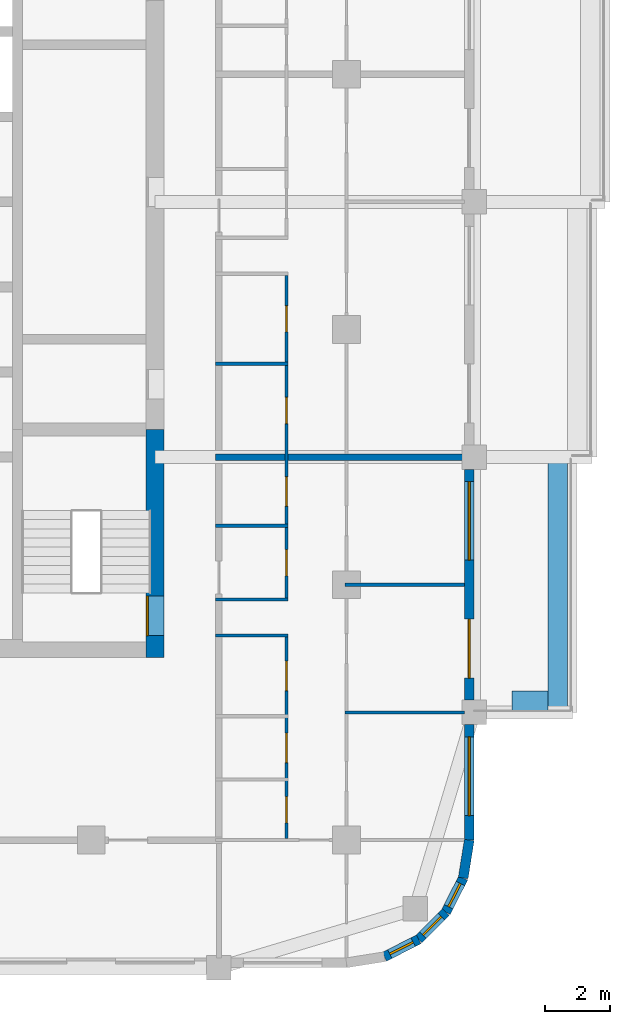
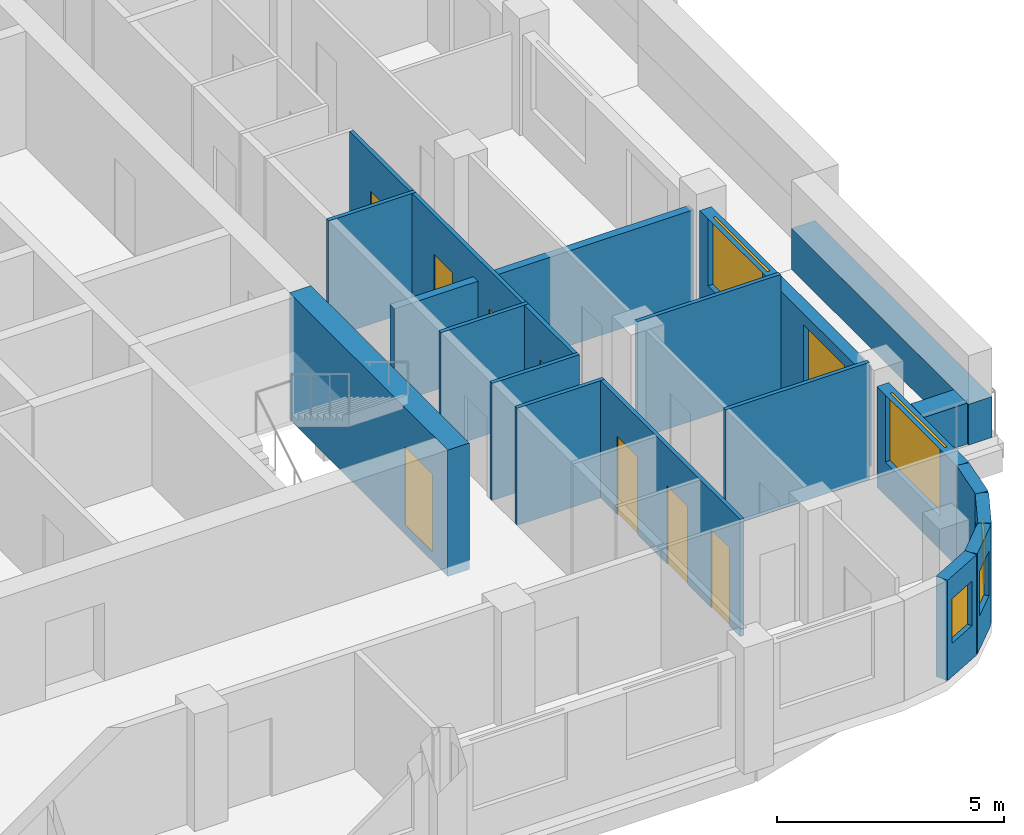
# One storey, part 6 of 13: 18 walls, 9 doors, 5 windows, 14 openings.
"""IFC4 building model written with IfcOpenShell, lengths in metres."""

from ifc_helpers import new_model, si_unit, direction, frame, frame_2d, origin, place, context, subcontext, project, spatial, rectangle, extrude, material, layer, layer_set, type_object, element, fill, save


model = new_model("IFC4")

# Units and contexts
model_context = context("Model", 3, precision=1e-05, world=origin(), true_north=direction((0.0, 1.0)))
body_context = subcontext(model_context, "Body", "Model", "MODEL_VIEW")
ifc_project = project(units=[si_unit("LENGTHUNIT", "METRE"), si_unit("AREAUNIT", "SQUARE_METRE"), si_unit("VOLUMEUNIT", "CUBIC_METRE"), si_unit("PLANEANGLEUNIT", "RADIAN"), si_unit("MASSUNIT", "GRAM", prefix="KILO")], contexts=[model_context])

# Site, building, storey
site_placement = place(None, origin())
site = spatial("IfcSite", under=ifc_project, at=site_placement, CompositionType="ELEMENT")
building_placement = place(site_placement, origin())
building = spatial("IfcBuilding", under=site, at=building_placement, Name="Ludao Terraces", CompositionType="ELEMENT")
storey_placement = place(building_placement, frame((0.0, 0.0, 186.0)))
storey = spatial("IfcBuildingStorey", under=building, at=storey_placement, Name="L50", CompositionType="ELEMENT", Elevation=186.0)

# Wall, opening, door
ifc_material_1 = material(Name="Concrete C60", Category="concrete")
ifc_layer_1 = layer(ifc_material_1, 0.550048828125)
ifc_layer_set_1 = layer_set([ifc_layer_1], Name="Core wall 550 C60")
wall_type_1 = type_object("IfcWallType", Name="Core wall 550 C60", PredefinedType="SOLIDWALL", material=ifc_layer_set_1)
wall_1_placement = place(storey_placement, frame((94.75, 54.97509765625, -0.25), z_axis=(0.0, 0.0, 1.0), x_axis=(0.0, 1.0, 0.0)))
wall_1 = element("IfcWall", 1, at=wall_1_placement, inside=storey, type_object=wall_type_1, Name="Core wall L50 outer-E-S3", PredefinedType="SOLIDWALL", context=body_context, shape_type="SweptSolid", body=[
    extrude(rectangle(XDim=6.974853515625, YDim=0.550048828125, at=frame_2d((3.4873046875, 0.0))), origin(), (0.0, 0.0, 1.0), 3.39990234375),
])
opening_1_placement = place(wall_1_placement, frame((0.675048828125, 0.0, 0.25)))
opening_1 = element("IfcOpeningElement", 2, at=opening_1_placement, cuts=wall_1, Name="Opening R18-019", PredefinedType="OPENING", context=body_context, shape_type="SweptSolid", body=[
    extrude(rectangle(XDim=1.199951171875, YDim=2.10009765625, at=frame_2d((0.60009765625, 1.050048828125))), frame((0.0, 0.28515625, 0.0), z_axis=(0.0, -1.0, 0.0), x_axis=(1.0, 0.0, 0.0)), (0.0, 0.0, 1.0), 0.570068359375),
])
ifc_material_2 = material(Name="Steel Q235", Category="steel")
door_type_1 = type_object("IfcDoorType", Name="INT Stair door 1200", OperationType="DOUBLE_DOOR_SINGLE_SWING", PredefinedType="DOOR", material=ifc_material_2)
door_1_placement = place(opening_1_placement, origin())
door_1 = element("IfcDoor", 3, at=door_1_placement, inside=storey, type_object=door_type_1, Name="DOOR 019", OperationType="DOUBLE_DOOR_SINGLE_SWING", OverallHeight=2.10009765625, OverallWidth=1.199951171875, PredefinedType="DOOR", context=body_context, shape_type="SweptSolid", body=[
    extrude(rectangle(XDim=1.199951171875, YDim=2.10009765625, at=frame_2d((0.60009765625, 1.050048828125))), frame((0.0, 0.26025390625, 0.0), z_axis=(0.0, -1.0, 0.0), x_axis=(1.0, 0.0, 0.0)), (0.0, 0.0, 1.0), 0.050048828125),
])
fill(opening_1, door_1)

# Walls
ifc_material_3 = material(Name="Concrete C40", Category="concrete")
ifc_layer_2 = layer(ifc_material_3, 0.60009765625)
ifc_layer_set_2 = layer_set([ifc_layer_2], Name="ENV Planter trough 600")
wall_type_2 = type_object("IfcWallType", Name="ENV Planter trough 600", PredefinedType="USERDEFINED", material=ifc_layer_set_2)
wall_2_placement = place(storey_placement, frame((107.050048828125, 53.300048828125, 0.0), z_axis=(0.0, 0.0, 1.0), x_axis=(0.0, 1.0, 0.0)))
element("IfcWall", 4, at=wall_2_placement, inside=storey, type_object=wall_type_2, Name="PL-L50-E1", ObjectType="PLANTER", PredefinedType="USERDEFINED", context=body_context, shape_type="SweptSolid", body=[
    extrude(rectangle(XDim=7.800048828125, YDim=0.60009765625, at=frame_2d((3.89990234375, 0.0))), origin(), (0.0, 0.0, 1.0), 1.10009765625),
])
wall_3_placement = place(storey_placement, frame((106.75, 53.64990234375, 0.0), z_axis=(0.0, 0.0, 1.0), x_axis=(-1.0, 0.0, 0.0)))
element("IfcWall", 5, at=wall_3_placement, inside=storey, type_object=wall_type_2, Name="PL-L50-E1-SA", ObjectType="PLANTER", PredefinedType="USERDEFINED", context=body_context, shape_type="SweptSolid", body=[
    extrude(rectangle(XDim=1.10009765625, YDim=0.60009765625, at=frame_2d((0.550048828125, 0.0))), origin(), (0.0, 0.0, 1.0), 1.10009765625),
])

# Wall, opening, window
ifc_material_4 = material(Name="Granite cladding", Category="masonry")
ifc_layer_3 = layer(ifc_material_4, 0.0400390625, Category="stone")
ifc_material_5 = material(Name="Mineral wool")
ifc_layer_4 = layer(ifc_material_5, 0.06005859375)
ifc_layer_5 = layer(ifc_material_3, 0.199951171875, Category="concrete")
ifc_layer_set_3 = layer_set([ifc_layer_3, ifc_layer_4, ifc_layer_5], Name="ENV Stone-clad wall 300")
wall_type_3 = type_object("IfcWallType", Name="ENV Stone-clad wall 300", PredefinedType="SOLIDWALL", material=ifc_layer_set_3)
wall_4_placement = place(storey_placement, frame((104.35009765625, 49.39990234375, 0.0), z_axis=(0.0, 0.0, 1.0), x_axis=(0.0, 1.0, 0.0)))
wall_4 = element("IfcWall", 6, at=wall_4_placement, inside=storey, type_object=wall_type_3, Name="EW-L50-E1", PredefinedType="SOLIDWALL", context=body_context, shape_type="SweptSolid", body=[
    extrude(rectangle(XDim=3.525146484375, YDim=0.300048828125, at=frame_2d((1.7626953125, 0.0))), origin(), (0.0, 0.0, 1.0), 2.699951171875),
])
opening_2_placement = place(wall_4_placement, frame((0.75, 0.0, 0.89990234375)))
opening_2 = element("IfcOpeningElement", 7, at=opening_2_placement, cuts=wall_4, Name="Opening W1", PredefinedType="OPENING", context=body_context, shape_type="SweptSolid", body=[
    extrude(rectangle(XDim=2.39990234375, YDim=1.800048828125, at=frame_2d((1.199951171875, 0.89990234375))), frame((0.0, 0.16015625, 0.0), z_axis=(0.0, -1.0, 0.0), x_axis=(1.0, 0.0, 0.0)), (0.0, 0.0, 1.0), 0.320068359375),
])
ifc_material_6 = material(Name="Clear glass in aluminium frame", Category="aluminium")
ifc_layer_6 = layer(ifc_material_6, 0.06005859375)
ifc_layer_set_4 = layer_set([ifc_layer_6], Name="ENV Window W1 2400x1800")
window_type_1 = type_object("IfcWindowType", Name="ENV Window W1 2400x1800", PartitioningType="DOUBLE_PANEL_VERTICAL", PredefinedType="WINDOW", material=ifc_layer_set_4)
window_1_placement = place(opening_2_placement, origin())
window_1 = element("IfcWindow", 8, at=window_1_placement, inside=storey, type_object=window_type_1, Name="W-L50-E1-1", OverallHeight=1.800048828125, OverallWidth=2.39990234375, PartitioningType="DOUBLE_PANEL_VERTICAL", PredefinedType="WINDOW", context=body_context, shape_type="SweptSolid", body=[
    extrude(rectangle(XDim=2.39990234375, YDim=1.800048828125, at=frame_2d((1.199951171875, 0.89990234375))), frame((0.0, 0.030029296875, 0.0), z_axis=(0.0, -1.0, 0.0), x_axis=(1.0, 0.0, 0.0)), (0.0, 0.0, 1.0), 0.06005859375),
])
fill(opening_2, window_1)

# Wall, openings, door, window
wall_5_placement = place(storey_placement, frame((104.35009765625, 53.675048828125, 0.0), z_axis=(0.0, 0.0, 1.0), x_axis=(0.0, 1.0, 0.0)))
wall_5 = element("IfcWall", 9, at=wall_5_placement, inside=storey, type_object=wall_type_3, Name="EW-L50-E2", PredefinedType="SOLIDWALL", context=body_context, shape_type="SweptSolid", body=[
    extrude(rectangle(XDim=7.050048828125, YDim=0.300048828125, at=frame_2d((3.52490234375, 0.0))), origin(), (0.0, 0.0, 1.0), 2.699951171875),
])
opening_3_placement = place(wall_5_placement, frame((0.675048828125, 0.0, 0.0)))
opening_3 = element("IfcOpeningElement", 10, at=opening_3_placement, cuts=wall_5, Name="Opening BD", PredefinedType="OPENING", context=body_context, shape_type="SweptSolid", body=[
    extrude(rectangle(XDim=1.800048828125, YDim=2.39990234375, at=frame_2d((0.89990234375, 1.199951171875))), frame((0.0, 0.16015625, 0.0), z_axis=(0.0, -1.0, 0.0), x_axis=(1.0, 0.0, 0.0)), (0.0, 0.0, 1.0), 0.320068359375),
])
opening_4_placement = place(wall_5_placement, frame((4.27490234375, 0.0, 0.89990234375)))
opening_4 = element("IfcOpeningElement", 11, at=opening_4_placement, cuts=wall_5, Name="Opening W1", PredefinedType="OPENING", context=body_context, shape_type="SweptSolid", body=[
    extrude(rectangle(XDim=2.39990234375, YDim=1.800048828125, at=frame_2d((1.199951171875, 0.89990234375))), frame((0.0, 0.16015625, 0.0), z_axis=(0.0, -1.0, 0.0), x_axis=(1.0, 0.0, 0.0)), (0.0, 0.0, 1.0), 0.320068359375),
])
ifc_material_7 = material(Name="Aluminium glazed door", Category="aluminium")
ifc_layer_7 = layer(ifc_material_7, 0.06005859375)
ifc_layer_set_5 = layer_set([ifc_layer_7], Name="ENV Balcony door BD 1800x2400")
door_type_2 = type_object("IfcDoorType", Name="ENV Balcony door BD 1800x2400", OperationType="DOUBLE_DOOR_SINGLE_SWING", PredefinedType="DOOR", material=ifc_layer_set_5)
door_2_placement = place(opening_3_placement, origin())
door_2 = element("IfcDoor", 12, at=door_2_placement, inside=storey, type_object=door_type_2, Name="BD-L50-E2-1", OperationType="DOUBLE_DOOR_SINGLE_SWING", OverallHeight=2.39990234375, OverallWidth=1.800048828125, PredefinedType="DOOR", context=body_context, shape_type="SweptSolid", body=[
    extrude(rectangle(XDim=1.800048828125, YDim=2.39990234375, at=frame_2d((0.89990234375, 1.199951171875))), frame((0.0, 0.02490234375, 0.0), z_axis=(0.0, -1.0, 0.0), x_axis=(1.0, 0.0, 0.0)), (0.0, 0.0, 1.0), 0.050048828125),
])
fill(opening_3, door_2)
window_2_placement = place(opening_4_placement, origin())
window_2 = element("IfcWindow", 13, at=window_2_placement, inside=storey, type_object=window_type_1, Name="W-L50-E2-2", OverallHeight=1.800048828125, OverallWidth=2.39990234375, PartitioningType="DOUBLE_PANEL_VERTICAL", PredefinedType="WINDOW", context=body_context, shape_type="SweptSolid", body=[
    extrude(rectangle(XDim=2.39990234375, YDim=1.800048828125, at=frame_2d((1.199951171875, 0.89990234375))), frame((0.0, 0.030029296875, 0.0), z_axis=(0.0, -1.0, 0.0), x_axis=(1.0, 0.0, 0.0)), (0.0, 0.0, 1.0), 0.06005859375),
])
fill(opening_4, window_2)

# Wall, opening, window
wall_6_placement = place(storey_placement, frame((101.7587890625, 45.83349609375, 0.0), z_axis=(0.0, 0.0, 1.0), x_axis=(0.890988677504, 0.454025524128, 0.0)))
wall_6 = element("IfcWall", 14, at=wall_6_placement, inside=storey, type_object=wall_type_3, Name="EW-L50-SE2", PredefinedType="SOLIDWALL", context=body_context, shape_type="SweptSolid", body=[
    extrude(rectangle(XDim=1.17333984375, YDim=0.300048828125, at=frame_2d((0.586669921875, 0.0))), origin(), (0.0, 0.0, 1.0), 2.699951171875),
])
opening_5_placement = place(wall_6_placement, frame((0.1865234375, 0.0, 0.89990234375)))
opening_5 = element("IfcOpeningElement", 15, at=opening_5_placement, cuts=wall_6, Name="Opening W3", PredefinedType="OPENING", context=body_context, shape_type="SweptSolid", body=[
    extrude(rectangle(XDim=0.800048828125, YDim=1.199951171875, at=frame_2d((0.39990234375, 0.60009765625))), frame((0.0, 0.16015625, 0.0), z_axis=(0.0, -1.0, 0.0), x_axis=(1.0, 0.0, 0.0)), (0.0, 0.0, 1.0), 0.320068359375),
])
ifc_layer_8 = layer(ifc_material_6, 0.06005859375)
ifc_layer_set_6 = layer_set([ifc_layer_8], Name="ENV Window W3 800x1200")
window_type_2 = type_object("IfcWindowType", Name="ENV Window W3 800x1200", PartitioningType="SINGLE_PANEL", PredefinedType="WINDOW", material=ifc_layer_set_6)
window_3_placement = place(opening_5_placement, origin())
window_3 = element("IfcWindow", 16, at=window_3_placement, inside=storey, type_object=window_type_2, Name="W-L50-SE2", OverallHeight=1.199951171875, OverallWidth=0.800048828125, PartitioningType="SINGLE_PANEL", PredefinedType="WINDOW", context=body_context, shape_type="SweptSolid", body=[
    extrude(rectangle(XDim=0.800048828125, YDim=1.199951171875, at=frame_2d((0.39990234375, 0.60009765625))), frame((0.0, 0.030029296875, 0.0), z_axis=(0.0, -1.0, 0.0), x_axis=(1.0, 0.0, 0.0)), (0.0, 0.0, 1.0), 0.06005859375),
])
fill(opening_5, window_3)

wall_7_placement = place(storey_placement, frame((102.80419921875, 46.3662109375, 0.0), z_axis=(0.0, 0.0, 1.0), x_axis=(0.707106781187, 0.707106781187, 0.0)))
wall_7 = element("IfcWall", 17, at=wall_7_placement, inside=storey, type_object=wall_type_3, Name="EW-L50-SE3", PredefinedType="SOLIDWALL", context=body_context, shape_type="SweptSolid", body=[
    extrude(rectangle(XDim=1.173095703125, YDim=0.300048828125, at=frame_2d((0.58642578125, 0.0))), origin(), (0.0, 0.0, 1.0), 2.699951171875),
])
opening_6_placement = place(wall_7_placement, frame((0.1865234375, 0.0, 0.89990234375)))
opening_6 = element("IfcOpeningElement", 18, at=opening_6_placement, cuts=wall_7, Name="Opening W3", PredefinedType="OPENING", context=body_context, shape_type="SweptSolid", body=[
    extrude(rectangle(XDim=0.800048828125, YDim=1.199951171875, at=frame_2d((0.39990234375, 0.60009765625))), frame((0.0, 0.16015625, 0.0), z_axis=(0.0, -1.0, 0.0), x_axis=(1.0, 0.0, 0.0)), (0.0, 0.0, 1.0), 0.320068359375),
])
window_4_placement = place(opening_6_placement, origin())
window_4 = element("IfcWindow", 19, at=window_4_placement, inside=storey, type_object=window_type_2, Name="W-L50-SE3", OverallHeight=1.199951171875, OverallWidth=0.800048828125, PartitioningType="SINGLE_PANEL", PredefinedType="WINDOW", context=body_context, shape_type="SweptSolid", body=[
    extrude(rectangle(XDim=0.800048828125, YDim=1.199951171875, at=frame_2d((0.39990234375, 0.60009765625))), frame((0.0, 0.030029296875, 0.0), z_axis=(0.0, -1.0, 0.0), x_axis=(1.0, 0.0, 0.0)), (0.0, 0.0, 1.0), 0.06005859375),
])
fill(opening_6, window_4)

wall_8_placement = place(storey_placement, frame((103.6337890625, 47.19580078125, 0.0), z_axis=(0.0, 0.0, 1.0), x_axis=(0.454025524128, 0.890988677504, 0.0)))
wall_8 = element("IfcWall", 20, at=wall_8_placement, inside=storey, type_object=wall_type_3, Name="EW-L50-SE4", PredefinedType="SOLIDWALL", context=body_context, shape_type="SweptSolid", body=[
    extrude(rectangle(XDim=1.17333984375, YDim=0.300048828125, at=frame_2d((0.586669921875, 0.0))), origin(), (0.0, 0.0, 1.0), 2.699951171875),
])
opening_7_placement = place(wall_8_placement, frame((0.1865234375, 0.0, 0.89990234375)))
opening_7 = element("IfcOpeningElement", 21, at=opening_7_placement, cuts=wall_8, Name="Opening W3", PredefinedType="OPENING", context=body_context, shape_type="SweptSolid", body=[
    extrude(rectangle(XDim=0.800048828125, YDim=1.199951171875, at=frame_2d((0.39990234375, 0.60009765625))), frame((0.0, 0.16015625, 0.0), z_axis=(0.0, -1.0, 0.0), x_axis=(1.0, 0.0, 0.0)), (0.0, 0.0, 1.0), 0.320068359375),
])
window_5_placement = place(opening_7_placement, origin())
window_5 = element("IfcWindow", 22, at=window_5_placement, inside=storey, type_object=window_type_2, Name="W-L50-SE4", OverallHeight=1.199951171875, OverallWidth=0.800048828125, PartitioningType="SINGLE_PANEL", PredefinedType="WINDOW", context=body_context, shape_type="SweptSolid", body=[
    extrude(rectangle(XDim=0.800048828125, YDim=1.199951171875, at=frame_2d((0.39990234375, 0.60009765625))), frame((0.0, 0.030029296875, 0.0), z_axis=(0.0, -1.0, 0.0), x_axis=(1.0, 0.0, 0.0)), (0.0, 0.0, 1.0), 0.06005859375),
])
fill(opening_7, window_5)

# Walls
wall_9_placement = place(storey_placement, frame((104.16650390625, 48.2412109375, 0.0), z_axis=(0.0, 0.0, 1.0), x_axis=(0.156496880861, 0.987678452879, 0.0)))
element("IfcWall", 23, at=wall_9_placement, inside=storey, type_object=wall_type_3, Name="EW-L50-SE5", PredefinedType="SOLIDWALL", context=body_context, shape_type="SweptSolid", body=[
    extrude(rectangle(XDim=1.173095703125, YDim=0.300048828125, at=frame_2d((0.58642578125, 0.0))), origin(), (0.0, 0.0, 1.0), 2.699951171875),
])
ifc_material_8 = material(Name="Gypsum plasterboard", Category="gypsum")
ifc_layer_9 = layer(ifc_material_8, 0.012451171875, Category="gypsum")
ifc_layer_10 = layer(ifc_material_5, 0.06005859375, Name="insulation")
ifc_layer_11 = layer(ifc_material_2, 0.014892578125, Name="stud")
ifc_layer_12 = layer(ifc_material_8, 0.012451171875, Category="gypsum")
ifc_layer_set_7 = layer_set([ifc_layer_9, ifc_layer_10, ifc_layer_11, ifc_layer_12], Name="INT Partition 100")
wall_type_4 = type_object("IfcWallType", Name="INT Partition 100", PredefinedType="PARTITIONING", material=ifc_layer_set_7)
wall_10_placement = place(storey_placement, frame((100.550048828125, 53.300048828125, 0.0), z_axis=(0.0, 0.0, 1.0), x_axis=(1.0, 0.0, 0.0)))
element("IfcWall", 24, at=wall_10_placement, inside=storey, type_object=wall_type_4, Name="PW-L50-PW007", PredefinedType="PARTITIONING", context=body_context, shape_type="SweptSolid", body=[
    extrude(rectangle(XDim=3.650146484375, YDim=0.10009765625, at=frame_2d((1.8251953125, 0.0))), origin(), (0.0, 0.0, 1.0), 3.14990234375),
])
for number, where, z_axis, x_axis, name in (
    (25, (96.60009765625, 55.64990234375, 0.0), (0.0, 0.0, 1.0), (1.0, 0.0, 0.0), "PW-L50-PW009"),
    (26, (96.60009765625, 56.75, 0.0), (0.0, 0.0, 1.0), (1.0, 0.0, 0.0), "PW-L50-PW011"),
):
    element("IfcWall", number, at=place(storey_placement, frame(where, z_axis=z_axis, x_axis=x_axis)), inside=storey, type_object=wall_type_4, Name=name, PredefinedType="PARTITIONING", context=body_context, shape_type="SweptSolid", body=[
        extrude(rectangle(XDim=2.219970703125, YDim=0.10009765625, at=frame_2d((1.10986328125, 0.0))), origin(), (0.0, 0.0, 1.0), 3.14990234375),
    ])
wall_11_placement = place(storey_placement, frame((100.550048828125, 57.199951171875, 0.0), z_axis=(0.0, 0.0, 1.0), x_axis=(1.0, 0.0, 0.0)))
element("IfcWall", 27, at=wall_11_placement, inside=storey, type_object=wall_type_4, Name="PW-L50-PW013", PredefinedType="PARTITIONING", context=body_context, shape_type="SweptSolid", body=[
    extrude(rectangle(XDim=3.650146484375, YDim=0.10009765625, at=frame_2d((1.8251953125, 0.0))), origin(), (0.0, 0.0, 1.0), 3.14990234375),
])
for number, where, z_axis, x_axis, name in (
    (28, (96.60009765625, 59.0, 0.0), (0.0, 0.0, 1.0), (1.0, 0.0, 0.0), "PW-L50-PW015"),
    (29, (96.60009765625, 63.949951171875, 0.0), (0.0, 0.0, 1.0), (1.0, 0.0, 0.0), "PW-L50-PW021"),
):
    element("IfcWall", number, at=place(storey_placement, frame(where, z_axis=z_axis, x_axis=x_axis)), inside=storey, type_object=wall_type_4, Name=name, PredefinedType="PARTITIONING", context=body_context, shape_type="SweptSolid", body=[
        extrude(rectangle(XDim=2.219970703125, YDim=0.10009765625, at=frame_2d((1.10986328125, 0.0))), origin(), (0.0, 0.0, 1.0), 3.14990234375),
    ])

# Wall, openings, doors
wall_12_placement = place(storey_placement, frame((98.77001953125, 49.4501953125, 0.0), z_axis=(0.0, 0.0, 1.0), x_axis=(0.0, 1.0, 0.0)))
wall_12 = element("IfcWall", 30, at=wall_12_placement, inside=storey, type_object=wall_type_4, Name="PW-L50-PW060", PredefinedType="PARTITIONING", context=body_context, shape_type="SweptSolid", body=[
    extrude(rectangle(XDim=6.14990234375, YDim=0.10009765625, at=frame_2d((3.074951171875, 0.0))), origin(), (0.0, 0.0, 1.0), 3.14990234375),
])
opening_8_placement = place(wall_12_placement, frame((0.474853515625, 0.0, 0.0)))
opening_8 = element("IfcOpeningElement", 31, at=opening_8_placement, cuts=wall_12, Name="Opening R18-008", PredefinedType="OPENING", context=body_context, shape_type="SweptSolid", body=[
    extrude(rectangle(XDim=0.800048828125, YDim=2.10009765625, at=frame_2d((0.39990234375, 1.050048828125))), frame((0.0, 0.06005859375, 0.0), z_axis=(0.0, -1.0, 0.0), x_axis=(1.0, 0.0, 0.0)), (0.0, 0.0, 1.0), 0.1201171875),
])
opening_9_placement = place(wall_12_placement, frame((2.31494140625, 0.0, 0.0)))
opening_9 = element("IfcOpeningElement", 32, at=opening_9_placement, cuts=wall_12, Name="Opening R18-012", PredefinedType="OPENING", context=body_context, shape_type="SweptSolid", body=[
    extrude(rectangle(XDim=0.89990234375, YDim=2.10009765625, at=frame_2d((0.449951171875, 1.050048828125))), frame((0.0, 0.06005859375, 0.0), z_axis=(0.0, -1.0, 0.0), x_axis=(1.0, 0.0, 0.0)), (0.0, 0.0, 1.0), 0.1201171875),
])
opening_10_placement = place(wall_12_placement, frame((4.514892578125, 0.0, 0.0)))
opening_10 = element("IfcOpeningElement", 33, at=opening_10_placement, cuts=wall_12, Name="Opening R18-014", PredefinedType="OPENING", context=body_context, shape_type="SweptSolid", body=[
    extrude(rectangle(XDim=0.89990234375, YDim=2.10009765625, at=frame_2d((0.449951171875, 1.050048828125))), frame((0.0, 0.06005859375, 0.0), z_axis=(0.0, -1.0, 0.0), x_axis=(1.0, 0.0, 0.0)), (0.0, 0.0, 1.0), 0.1201171875),
])
ifc_material_9 = material(Name="Timber door leaf", Category="wood")
door_type_3 = type_object("IfcDoorType", Name="INT Bathroom door 900", OperationType="SINGLE_SWING_LEFT", PredefinedType="DOOR", material=ifc_material_9)
door_3_placement = place(opening_9_placement, origin())
door_3 = element("IfcDoor", 34, at=door_3_placement, inside=storey, type_object=door_type_3, Name="DOOR 012", OperationType="SINGLE_SWING_RIGHT", OverallHeight=2.10009765625, OverallWidth=0.89990234375, PredefinedType="DOOR", context=body_context, shape_type="SweptSolid", body=[
    extrude(rectangle(XDim=0.89990234375, YDim=2.10009765625, at=frame_2d((0.449951171875, 1.050048828125))), frame((0.0, 0.02490234375, 0.0), z_axis=(0.0, -1.0, 0.0), x_axis=(1.0, 0.0, 0.0)), (0.0, 0.0, 1.0), 0.050048828125),
])
fill(opening_9, door_3)
door_type_4 = type_object("IfcDoorType", Name="INT Room door 900", OperationType="SINGLE_SWING_LEFT", PredefinedType="DOOR", material=ifc_material_9)
door_4_placement = place(opening_10_placement, origin())
door_4 = element("IfcDoor", 35, at=door_4_placement, inside=storey, type_object=door_type_4, Name="DOOR 014", OperationType="SINGLE_SWING_LEFT", OverallHeight=2.10009765625, OverallWidth=0.89990234375, PredefinedType="DOOR", context=body_context, shape_type="SweptSolid", body=[
    extrude(rectangle(XDim=0.89990234375, YDim=2.10009765625, at=frame_2d((0.449951171875, 1.050048828125))), frame((0.0, 0.02490234375, 0.0), z_axis=(0.0, -1.0, 0.0), x_axis=(1.0, 0.0, 0.0)), (0.0, 0.0, 1.0), 0.050048828125),
])
fill(opening_10, door_4)
door_type_5 = type_object("IfcDoorType", Name="INT Store door 800", OperationType="SINGLE_SWING_LEFT", PredefinedType="DOOR", material=ifc_material_9)
door_5_placement = place(opening_8_placement, origin())
door_5 = element("IfcDoor", 36, at=door_5_placement, inside=storey, type_object=door_type_5, Name="DOOR 008", OperationType="SINGLE_SWING_LEFT", OverallHeight=2.10009765625, OverallWidth=0.800048828125, PredefinedType="DOOR", context=body_context, shape_type="SweptSolid", body=[
    extrude(rectangle(XDim=0.800048828125, YDim=2.10009765625, at=frame_2d((0.39990234375, 1.050048828125))), frame((0.0, 0.02490234375, 0.0), z_axis=(0.0, -1.0, 0.0), x_axis=(1.0, 0.0, 0.0)), (0.0, 0.0, 1.0), 0.050048828125),
])
fill(opening_8, door_5)

wall_13_placement = place(storey_placement, frame((98.77001953125, 56.800048828125, 0.0), z_axis=(0.0, 0.0, 1.0), x_axis=(0.0, 1.0, 0.0)))
wall_13 = element("IfcWall", 37, at=wall_13_placement, inside=storey, type_object=wall_type_4, Name="PW-L50-PW061", PredefinedType="PARTITIONING", context=body_context, shape_type="SweptSolid", body=[
    extrude(rectangle(XDim=9.85009765625, YDim=0.10009765625, at=frame_2d((4.925048828125, 0.0))), origin(), (0.0, 0.0, 1.0), 3.14990234375),
])
opening_11_placement = place(wall_13_placement, frame((0.675048828125, 0.0, 0.0)))
opening_11 = element("IfcOpeningElement", 38, at=opening_11_placement, cuts=wall_13, Name="Opening R18-022", PredefinedType="OPENING", context=body_context, shape_type="SweptSolid", body=[
    extrude(rectangle(XDim=0.800048828125, YDim=2.10009765625, at=frame_2d((0.39990234375, 1.050048828125))), frame((0.0, 0.06005859375, 0.0), z_axis=(0.0, -1.0, 0.0), x_axis=(1.0, 0.0, 0.0)), (0.0, 0.0, 1.0), 0.1201171875),
])
opening_12_placement = place(wall_13_placement, frame((2.800048828125, 0.0, 0.0)))
opening_12 = element("IfcOpeningElement", 39, at=opening_12_placement, cuts=wall_13, Name="Opening R18-026", PredefinedType="OPENING", context=body_context, shape_type="SweptSolid", body=[
    extrude(rectangle(XDim=0.89990234375, YDim=2.10009765625, at=frame_2d((0.449951171875, 1.050048828125))), frame((0.0, 0.06005859375, 0.0), z_axis=(0.0, -1.0, 0.0), x_axis=(1.0, 0.0, 0.0)), (0.0, 0.0, 1.0), 0.1201171875),
])
opening_13_placement = place(wall_13_placement, frame((5.324951171875, 0.0, 0.0)))
opening_13 = element("IfcOpeningElement", 40, at=opening_13_placement, cuts=wall_13, Name="Opening R18-031", PredefinedType="OPENING", context=body_context, shape_type="SweptSolid", body=[
    extrude(rectangle(XDim=0.800048828125, YDim=2.10009765625, at=frame_2d((0.39990234375, 1.050048828125))), frame((0.0, 0.06005859375, 0.0), z_axis=(0.0, -1.0, 0.0), x_axis=(1.0, 0.0, 0.0)), (0.0, 0.0, 1.0), 0.1201171875),
])
opening_14_placement = place(wall_13_placement, frame((8.125, 0.0, 0.0)))
opening_14 = element("IfcOpeningElement", 41, at=opening_14_placement, cuts=wall_13, Name="Opening R18-039", PredefinedType="OPENING", context=body_context, shape_type="SweptSolid", body=[
    extrude(rectangle(XDim=0.800048828125, YDim=2.10009765625, at=frame_2d((0.39990234375, 1.050048828125))), frame((0.0, 0.06005859375, 0.0), z_axis=(0.0, -1.0, 0.0), x_axis=(1.0, 0.0, 0.0)), (0.0, 0.0, 1.0), 0.1201171875),
])
door_6_placement = place(opening_12_placement, origin())
door_6 = element("IfcDoor", 42, at=door_6_placement, inside=storey, type_object=door_type_3, Name="DOOR 026", OperationType="SINGLE_SWING_RIGHT", OverallHeight=2.10009765625, OverallWidth=0.89990234375, PredefinedType="DOOR", context=body_context, shape_type="SweptSolid", body=[
    extrude(rectangle(XDim=0.89990234375, YDim=2.10009765625, at=frame_2d((0.449951171875, 1.050048828125))), frame((0.0, 0.02490234375, 0.0), z_axis=(0.0, -1.0, 0.0), x_axis=(1.0, 0.0, 0.0)), (0.0, 0.0, 1.0), 0.050048828125),
])
fill(opening_12, door_6)
door_7_placement = place(opening_11_placement, origin())
door_7 = element("IfcDoor", 43, at=door_7_placement, inside=storey, type_object=door_type_5, Name="DOOR 022", OperationType="SINGLE_SWING_LEFT", OverallHeight=2.10009765625, OverallWidth=0.800048828125, PredefinedType="DOOR", context=body_context, shape_type="SweptSolid", body=[
    extrude(rectangle(XDim=0.800048828125, YDim=2.10009765625, at=frame_2d((0.39990234375, 1.050048828125))), frame((0.0, 0.02490234375, 0.0), z_axis=(0.0, -1.0, 0.0), x_axis=(1.0, 0.0, 0.0)), (0.0, 0.0, 1.0), 0.050048828125),
])
fill(opening_11, door_7)
door_8_placement = place(opening_13_placement, origin())
door_8 = element("IfcDoor", 44, at=door_8_placement, inside=storey, type_object=door_type_5, Name="DOOR 031", OperationType="SINGLE_SWING_LEFT", OverallHeight=2.10009765625, OverallWidth=0.800048828125, PredefinedType="DOOR", context=body_context, shape_type="SweptSolid", body=[
    extrude(rectangle(XDim=0.800048828125, YDim=2.10009765625, at=frame_2d((0.39990234375, 1.050048828125))), frame((0.0, 0.02490234375, 0.0), z_axis=(0.0, -1.0, 0.0), x_axis=(1.0, 0.0, 0.0)), (0.0, 0.0, 1.0), 0.050048828125),
])
fill(opening_13, door_8)
door_9_placement = place(opening_14_placement, origin())
door_9 = element("IfcDoor", 45, at=door_9_placement, inside=storey, type_object=door_type_5, Name="DOOR 039", OperationType="SINGLE_SWING_RIGHT", OverallHeight=2.10009765625, OverallWidth=0.800048828125, PredefinedType="DOOR", context=body_context, shape_type="SweptSolid", body=[
    extrude(rectangle(XDim=0.800048828125, YDim=2.10009765625, at=frame_2d((0.39990234375, 1.050048828125))), frame((0.0, 0.02490234375, 0.0), z_axis=(0.0, -1.0, 0.0), x_axis=(1.0, 0.0, 0.0)), (0.0, 0.0, 1.0), 0.050048828125),
])
fill(opening_14, door_9)

# Wall
ifc_material_10 = material(Name="Autoclaved aerated concrete block B06 A3.5", Category="concrete")
ifc_layer_13 = layer(ifc_material_10, 0.199951171875)
ifc_layer_set_8 = layer_set([ifc_layer_13], Name="INT Party wall 200")
wall_type_5 = type_object("IfcWallType", Name="INT Party wall 200", PredefinedType="PARTITIONING", material=ifc_layer_set_8)
wall_14_placement = place(storey_placement, frame((96.60009765625, 61.10009765625, 0.0), z_axis=(0.0, 0.0, 1.0), x_axis=(1.0, 0.0, 0.0)))
element("IfcWall", 46, at=wall_14_placement, inside=storey, type_object=wall_type_5, Name="PW-L50-PW018", PredefinedType="PARTITIONING", context=body_context, shape_type="SweptSolid", body=[
    extrude(rectangle(XDim=7.60009765625, YDim=0.199951171875, at=frame_2d((3.800048828125, 0.0))), origin(), (0.0, 0.0, 1.0), 2.550048828125),
])

save(model, "model.ifc")
